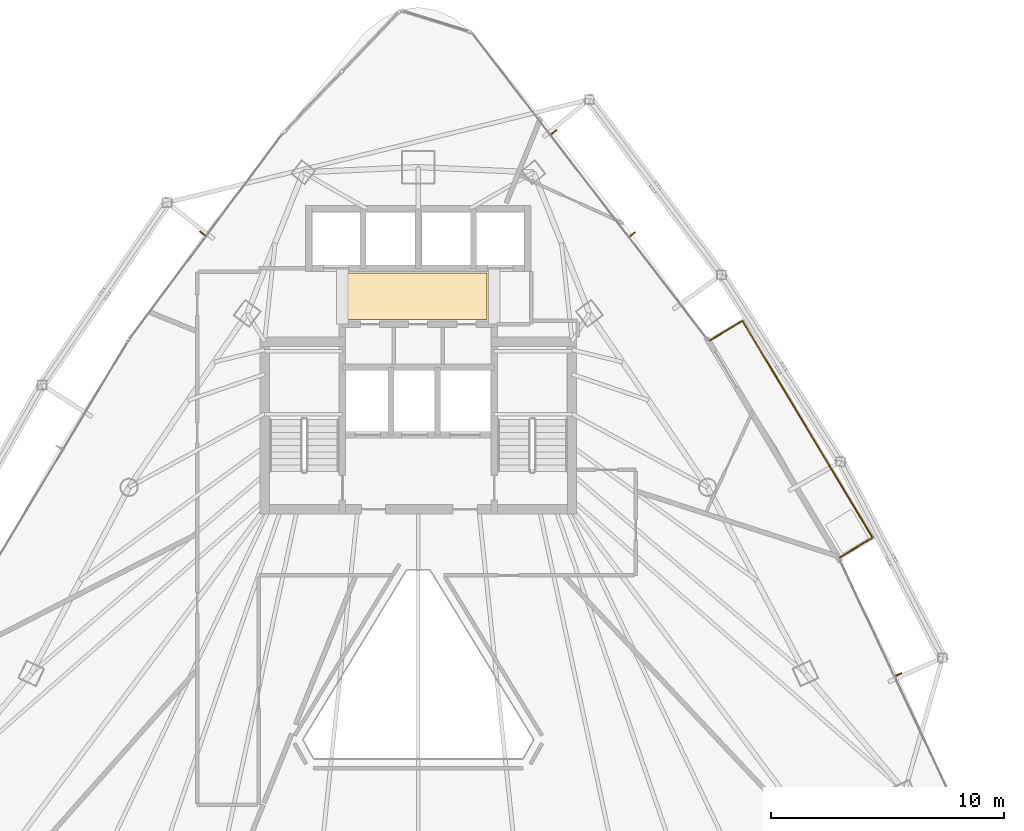
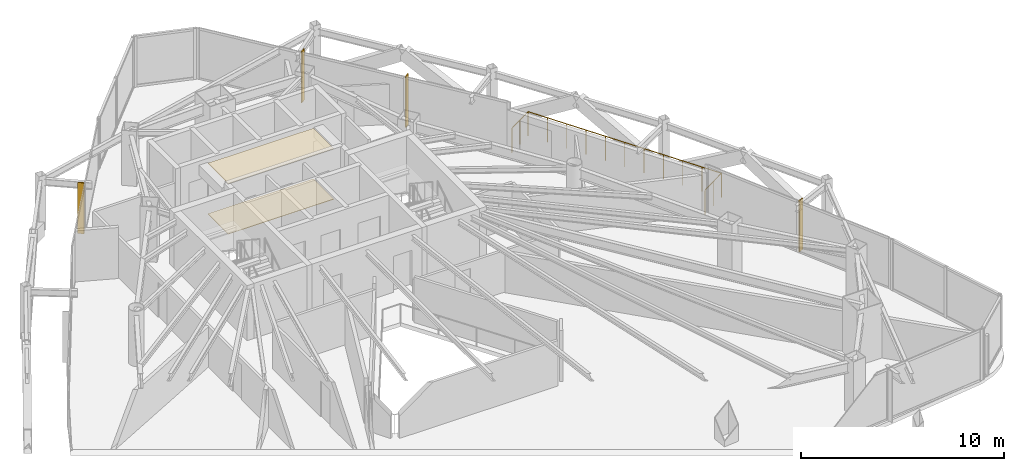
# One storey, part 31 of 31: 4 shading devices, 2 coverings, 1 railing.
"""IFC4 building model written with IfcOpenShell, lengths in metres."""

from ifc_helpers import new_model, si_unit, direction, frame, origin, origin_2d, place, context, subcontext, project, spatial, polyline, rectangle, circle, outline, extrude, material, layer, layer_set, type_object, element, save


model = new_model("IFC4")

# Units and contexts
model_context = context("Model", 3, precision=1e-05, world=origin(), true_north=direction((0.0, 1.0)))
body_context = subcontext(model_context, "Body", "Model", "MODEL_VIEW")
ifc_project = project(units=[si_unit("LENGTHUNIT", "METRE"), si_unit("AREAUNIT", "SQUARE_METRE"), si_unit("VOLUMEUNIT", "CUBIC_METRE"), si_unit("PLANEANGLEUNIT", "RADIAN"), si_unit("MASSUNIT", "GRAM", prefix="KILO")], contexts=[model_context])

# Site, building, storey
site_placement = place(None, origin())
site = spatial("IfcSite", under=ifc_project, at=site_placement, CompositionType="ELEMENT")
building_placement = place(site_placement, origin())
building = spatial("IfcBuilding", under=site, at=building_placement, Name="Orvanel Arch Residences", CompositionType="ELEMENT")
storey_placement = place(building_placement, frame((0.0, 0.0, 150.64990234375)))
storey = spatial("IfcBuildingStorey", under=building, at=storey_placement, Name="L42", CompositionType="ELEMENT", Elevation=150.64990234375)

# Coverings
ifc_material_1 = material(Name="Perforated acoustic mineral-fibre ceiling tile", Category="gypsum")
ifc_layer_1 = layer(ifc_material_1, 0.034912109375)
ifc_layer_set_1 = layer_set([ifc_layer_1], Name="Perforated acoustic mineral-fibre ceiling tile")
covering_type_1 = type_object("IfcCoveringType", Name="COV-CLG-ACS35", PredefinedType="CEILING", material=ifc_layer_set_1)
covering_1_placement = place(storey_placement, frame((0.0, 0.0, 3.025146484375)))
element("IfcCovering", 1, at=covering_1_placement, inside=storey, type_object=covering_type_1, Name="L42 Lift Lobby Acoustic Ceiling", PredefinedType="CEILING", context=body_context, shape_type="SweptSolid", body=[
    extrude(outline(polyline([(29.949951171875, 34.85009765625), (35.949951171875, 34.85009765625), (35.949951171875, 36.85009765625), (29.949951171875, 36.85009765625), (29.949951171875, 34.85009765625)])), origin(), (0.0, 0.0, 1.0), 0.034912109375),
])
ifc_material_2 = material(Name="Honed cementitious terrazzo floor finish", Category="concrete")
ifc_layer_2 = layer(ifc_material_2, 0.02490234375)
ifc_layer_set_2 = layer_set([ifc_layer_2], Name="Honed cementitious terrazzo floor finish")
covering_type_2 = type_object("IfcCoveringType", Name="COV-FLR-TRZ25", PredefinedType="FLOORING", material=ifc_layer_set_2)
covering_2_placement = place(storey_placement, origin())
element("IfcCovering", 2, at=covering_2_placement, inside=storey, type_object=covering_type_2, Name="L42 Lift Lobby Terrazzo Flooring", PredefinedType="FLOORING", context=body_context, shape_type="SweptSolid", body=[
    extrude(outline(polyline([(29.949951171875, 34.85009765625), (35.949951171875, 34.85009765625), (35.949951171875, 36.85009765625), (29.949951171875, 36.85009765625), (29.949951171875, 34.85009765625)])), origin(), (0.0, 0.0, 1.0), 0.025146484375),
])

# Shading devices
ifc_material_3 = material(Name="Bronze-anodised aluminium AA6063-T6", Category="aluminium")
ifc_layer_3 = layer(ifc_material_3, 0.054931640625)
ifc_layer_set_3 = layer_set([ifc_layer_3], Name="Bronze-anodised aluminium AA6063-T6")
shading_device_type = type_object("IfcShadingDeviceType", Name="FIN-BRZ-320", PredefinedType="USERDEFINED", material=ifc_layer_set_3)
for number, where, z_axis, x_axis, name in (
    (3, (23.73095703125, 38.5390625, 0.0), (0.0, 0.0, 1.0), (-0.801775644244, 0.597625146976, 0.0), "L42 Anodised Bronze Mullion FIN 01"),
    (4, (53.633056640625, 19.593994140625, 0.0), (0.0, 0.0, 1.0), (0.904827052466, 0.425779291565, 0.0), "L42 Anodised Bronze Mullion FIN 01"),
    (5, (42.197998046875, 38.507080078125, 0.0), (0.0, 0.0, 1.0), (0.793353340291, 0.608761429009, 0.0), "L42 Anodised Bronze Mullion FIN 01"),
    (6, (38.826904296875, 42.89794921875, 0.0), (0.0, 0.0, 1.0), (0.793353340291, 0.608761429009, 0.0), "L42 Anodised Bronze Mullion FIN 02"),
):
    element("IfcShadingDevice", number, at=place(storey_placement, frame(where, z_axis=z_axis, x_axis=x_axis)), inside=storey, type_object=shading_device_type, Name=name, ObjectType="FIN", PredefinedType="USERDEFINED", context=body_context, shape_type="SweptSolid", body=[
        extrude(rectangle(XDim=0.320068359375, YDim=0.054931640625, at=origin_2d()), origin(), (0.0, 0.0, 1.0), 3.06005859375),
    ])

# Railing
railing_type = type_object("IfcRailingType", Name="RL-BAL-1480", PredefinedType="BALUSTRADE", material=ifc_material_3)
railing_placement = place(storey_placement, frame((51.114990234375, 24.6279296875, 0.0)))
element("IfcRailing", 7, at=railing_placement, inside=storey, type_object=railing_type, Name="L42 Balcony Perimeter Guardrail Face 3", PredefinedType="BALUSTRADE", context=body_context, shape_type="SweptSolid", body=[
    extrude(circle(Radius=0.02392578125, at=origin_2d()), frame((0.001220703125, 0.000732421875, 1.4560546875), z_axis=(0.857545439568, 0.514408222208, 0.0), x_axis=(-0.514408222208, 0.857545439568, 0.0)), (0.0, 0.0, 1.0), 1.6376953125),
    extrude(circle(Radius=0.02392578125, at=origin_2d()), frame((1.40625, 0.84521484375, 1.4560546875), z_axis=(-0.514403245511, 0.857548424876, 0.0), x_axis=(-0.857548424876, -0.514403245511, 0.0)), (0.0, 0.0, 1.0), 10.864013671875),
    extrude(circle(Radius=0.02392578125, at=origin_2d()), frame((-4.184326171875, 10.162353515625, 1.4560546875), z_axis=(-0.857387817543, -0.514670895164, 0.0), x_axis=(0.514670895164, -0.857387817543, 0.0)), (0.0, 0.0, 1.0), 1.636962890625),
    extrude(circle(Radius=0.02099609375, at=origin_2d()), origin(), (0.0, 0.0, 1.0), 1.429931640625),
    extrude(circle(Radius=0.02099609375, at=origin_2d()), frame((0.70361328125, 0.421875, 0.0)), (0.0, 0.0, 1.0), 1.429931640625),
    extrude(circle(Radius=0.02099609375, at=origin_2d()), frame((1.406982421875, 0.843994140625, 0.0)), (0.0, 0.0, 1.0), 1.429931640625),
    extrude(circle(Radius=0.02099609375, at=origin_2d()), frame((0.847900390625, 1.77587890625, 0.0)), (0.0, 0.0, 1.0), 1.429931640625),
    extrude(circle(Radius=0.02099609375, at=origin_2d()), frame((0.2890625, 2.707763671875, 0.0)), (0.0, 0.0, 1.0), 1.429931640625),
    extrude(circle(Radius=0.02099609375, at=origin_2d()), frame((-0.27001953125, 3.6396484375, 0.0)), (0.0, 0.0, 1.0), 1.429931640625),
    extrude(circle(Radius=0.02099609375, at=origin_2d()), frame((-0.8291015625, 4.571533203125, 0.0)), (0.0, 0.0, 1.0), 1.429931640625),
    extrude(circle(Radius=0.02099609375, at=origin_2d()), frame((-1.38818359375, 5.50341796875, 0.0)), (0.0, 0.0, 1.0), 1.429931640625),
    extrude(circle(Radius=0.02099609375, at=origin_2d()), frame((-1.947021484375, 6.435546875, 0.0)), (0.0, 0.0, 1.0), 1.429931640625),
    extrude(circle(Radius=0.02099609375, at=origin_2d()), frame((-2.506103515625, 7.367431640625, 0.0)), (0.0, 0.0, 1.0), 1.429931640625),
    extrude(circle(Radius=0.02099609375, at=origin_2d()), frame((-3.065185546875, 8.29931640625, 0.0)), (0.0, 0.0, 1.0), 1.429931640625),
    extrude(circle(Radius=0.02099609375, at=origin_2d()), frame((-3.6240234375, 9.231201171875, 0.0)), (0.0, 0.0, 1.0), 1.429931640625),
    extrude(circle(Radius=0.02099609375, at=origin_2d()), frame((-4.18310546875, 10.1630859375, 0.0)), (0.0, 0.0, 1.0), 1.429931640625),
    extrude(circle(Radius=0.02099609375, at=origin_2d()), frame((-4.88623046875, 9.7412109375, 0.0)), (0.0, 0.0, 1.0), 1.429931640625),
    extrude(circle(Radius=0.02099609375, at=origin_2d()), frame((-5.589111328125, 9.319091796875, 0.0)), (0.0, 0.0, 1.0), 1.429931640625),
])

save(model, "model.ifc")
